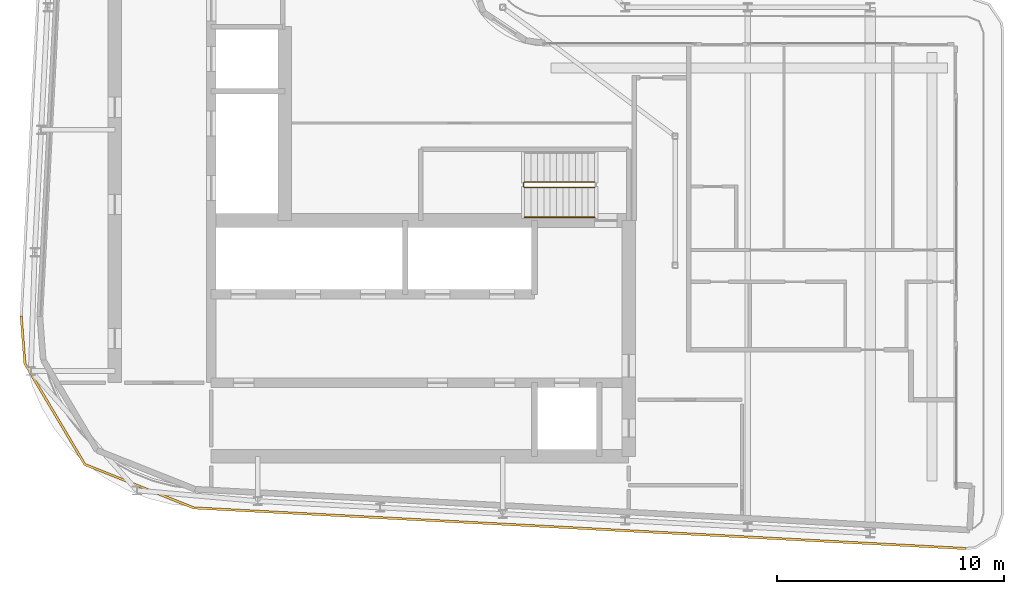
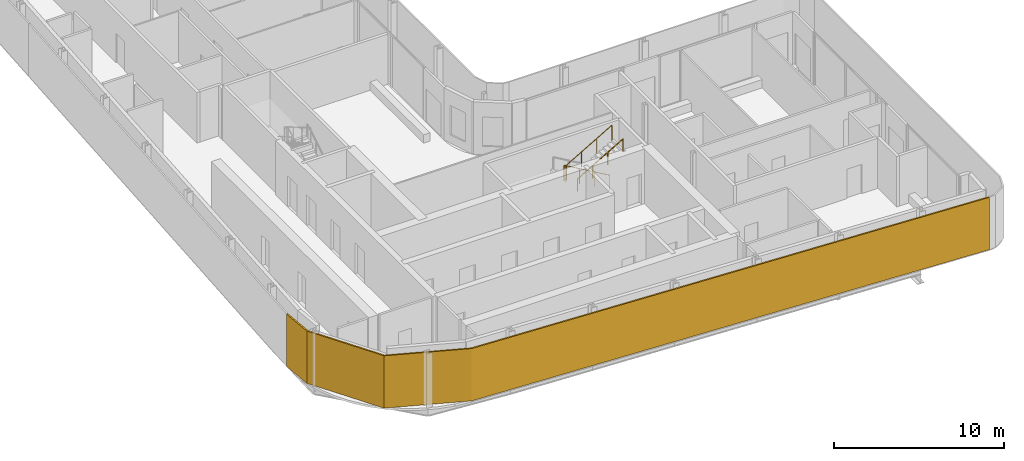
# One storey, part 16 of 21: 2 railings, 1 shading device.
"""IFC4 building model written with IfcOpenShell, lengths in metres."""

from ifc_helpers import new_model, si_unit, direction, frame, origin, origin_2d, place, context, subcontext, project, spatial, polyline, circle, outline, extrude, material, layer, layer_set, type_object, element, save


model = new_model("IFC4")

# Units and contexts
model_context = context("Model", 3, precision=1e-05, world=origin(), true_north=direction((0.0, 1.0)))
body_context = subcontext(model_context, "Body", "Model", "MODEL_VIEW")
ifc_project = project(units=[si_unit("LENGTHUNIT", "METRE"), si_unit("AREAUNIT", "SQUARE_METRE"), si_unit("VOLUMEUNIT", "CUBIC_METRE"), si_unit("PLANEANGLEUNIT", "RADIAN"), si_unit("MASSUNIT", "GRAM", prefix="KILO")], contexts=[model_context])

# Site, building, storey
site_placement = place(None, origin())
site = spatial("IfcSite", under=ifc_project, at=site_placement, CompositionType="ELEMENT")
building_placement = place(site_placement, origin())
building = spatial("IfcBuilding", under=site, at=building_placement, Name="Kheshtan School and Residences Tower", CompositionType="ELEMENT")
storey_placement = place(building_placement, frame((0.0, 0.0, 317.60009765625)))
storey = spatial("IfcBuildingStorey", under=building, at=storey_placement, Name="L75", CompositionType="ELEMENT", Elevation=317.60009765625)

# Shading device
ifc_material_1 = material(Name="Terracotta baguette, extruded ceramic", Category="masonry")
ifc_layer = layer(ifc_material_1, 0.10009765625)
ifc_layer_set = layer_set([ifc_layer], Name="Ledge screen, terracotta baguettes")
shading_device_type = type_object("IfcShadingDeviceType", Name="Ledge screen, terracotta baguettes", PredefinedType="USERDEFINED", material=ifc_layer_set)
shading_device_placement = place(storey_placement, origin())
element("IfcShadingDevice", 1, at=shading_device_placement, inside=storey, type_object=shading_device_type, Name="Screen L75 3", ObjectType="BAGUETTE", PredefinedType="USERDEFINED", context=body_context, shape_type="SweptSolid", body=[
    extrude(outline(polyline([(68.02099609375, 21.7880859375), (33.989013671875, 23.580078125), (29.2119140625, 25.486083984375), (26.583984375, 29.906982421875), (26.419921875, 31.989013671875), (26.320068359375, 31.98095703125), (26.486083984375, 29.8759765625), (29.14306640625, 25.406005859375), (33.967041015625, 23.48095703125), (68.01611328125, 21.68798828125), (68.02099609375, 21.7880859375)])), origin(), (0.0, 0.0, 1.0), 3.75),
])

# Railings
ifc_material_2 = material(Name="Stainless steel balustrade", Category="steel")
railing_type_1 = type_object("IfcRailingType", Name="Stair guard 1100", PredefinedType="GUARDRAIL", material=ifc_material_2)
railing_1_placement = place(storey_placement, frame((51.64990234375, 37.89990234375, 0.162353515625)))
element("IfcRailing", 2, at=railing_1_placement, inside=storey, type_object=railing_type_1, Name="L75 ST1 stair guard 1", PredefinedType="GUARDRAIL", context=body_context, shape_type="SweptSolid", body=[
    extrude(circle(Radius=0.02392578125, at=origin_2d()), frame((0.0, 0.0, 1.076171875), z_axis=(-0.864873446163, 0.0, 0.501989962173), x_axis=(0.0, -1.0, 0.0)), (0.0, 0.0, 1.0), 3.56103515625),
    extrude(circle(Radius=0.02392578125, at=origin_2d()), frame((-3.079833984375, 0.0, 2.86376953125), z_axis=(-0.708833529934, -0.705375805398, 0.0), x_axis=(0.705375805398, -0.708833529934, 0.0)), (0.0, 0.0, 1.0), 0.070556640625),
    extrude(circle(Radius=0.02392578125, at=origin_2d()), frame((-3.1298828125, -0.0498046875, 2.86376953125), z_axis=(0.0, -1.0, 0.0), x_axis=(1.0, 0.0, 0.0)), (0.0, 0.0, 1.0), 0.150146484375),
    extrude(circle(Radius=0.02392578125, at=origin_2d()), frame((-3.1298828125, -0.199951171875, 2.86376953125), z_axis=(0.282583949758, -0.282583949758, 0.916674763849), x_axis=(0.707106781187, 0.707106781187, 0.0)), (0.0, 0.0, 1.0), 0.177001953125),
    extrude(circle(Radius=0.02392578125, at=origin_2d()), frame((-3.079833984375, -0.25, 3.02587890625), z_axis=(0.864873446163, 0.0, 0.501989962173), x_axis=(0.0, 1.0, 0.0)), (0.0, 0.0, 1.0), 3.56103515625),
    extrude(circle(Radius=0.02099609375, at=origin_2d()), origin(), (0.0, 0.0, 1.0), 1.052001953125),
    extrude(circle(Radius=0.02099609375, at=origin_2d()), frame((-1.026611328125, 0.0, 0.595947265625)), (0.0, 0.0, 1.0), 1.052001953125),
    extrude(circle(Radius=0.02099609375, at=origin_2d()), frame((-2.05322265625, 0.0, 1.191650390625)), (0.0, 0.0, 1.0), 1.052001953125),
    extrude(circle(Radius=0.02099609375, at=origin_2d()), frame((-3.079833984375, 0.0, 1.78759765625)), (0.0, 0.0, 1.0), 1.052001953125),
    extrude(circle(Radius=0.02099609375, at=origin_2d()), frame((-3.1298828125, -0.0498046875, 1.78759765625)), (0.0, 0.0, 1.0), 1.052001953125),
    extrude(circle(Radius=0.02099609375, at=origin_2d()), frame((-3.1298828125, -0.199951171875, 1.78759765625)), (0.0, 0.0, 1.0), 1.052001953125),
    extrude(circle(Radius=0.02099609375, at=origin_2d()), frame((-3.079833984375, -0.25, 1.949951171875)), (0.0, 0.0, 1.0), 1.052001953125),
    extrude(circle(Radius=0.02099609375, at=origin_2d()), frame((-2.05322265625, -0.25, 2.5458984375)), (0.0, 0.0, 1.0), 1.052001953125),
    extrude(circle(Radius=0.02099609375, at=origin_2d()), frame((-1.026611328125, -0.25, 3.1416015625)), (0.0, 0.0, 1.0), 1.052001953125),
    extrude(circle(Radius=0.02099609375, at=origin_2d()), frame((0.0, -0.25, 3.737548828125)), (0.0, 0.0, 1.0), 1.052001953125),
])
ifc_material_3 = material(Name="Stainless steel handrail", Category="steel")
railing_type_2 = type_object("IfcRailingType", Name="Stair handrail 900", PredefinedType="HANDRAIL", material=ifc_material_3)
railing_2_placement = place(storey_placement, frame((48.570068359375, 36.35009765625, 2.1123046875)))
element("IfcRailing", 3, at=railing_2_placement, inside=storey, type_object=railing_type_2, Name="L75 ST1 stair handrail 2", PredefinedType="HANDRAIL", context=body_context, shape_type="SweptSolid", body=[
    extrude(circle(Radius=0.02392578125, at=origin_2d()), frame((0.0, 0.0, 0.8759765625), z_axis=(0.864873446163, 0.0, 0.501989962173), x_axis=(0.0, 1.0, 0.0)), (0.0, 0.0, 1.0), 3.56103515625),
    extrude(circle(Radius=0.02099609375, at=origin_2d()), origin(), (0.0, 0.0, 1.0), 0.851806640625),
    extrude(circle(Radius=0.02099609375, at=origin_2d()), frame((1.026611328125, 0.0, 0.595947265625)), (0.0, 0.0, 1.0), 0.851806640625),
    extrude(circle(Radius=0.02099609375, at=origin_2d()), frame((2.05322265625, 0.0, 1.191650390625)), (0.0, 0.0, 1.0), 0.851806640625),
    extrude(circle(Radius=0.02099609375, at=origin_2d()), frame((3.079833984375, 0.0, 1.78759765625)), (0.0, 0.0, 1.0), 0.851806640625),
])

save(model, "model.ifc")
